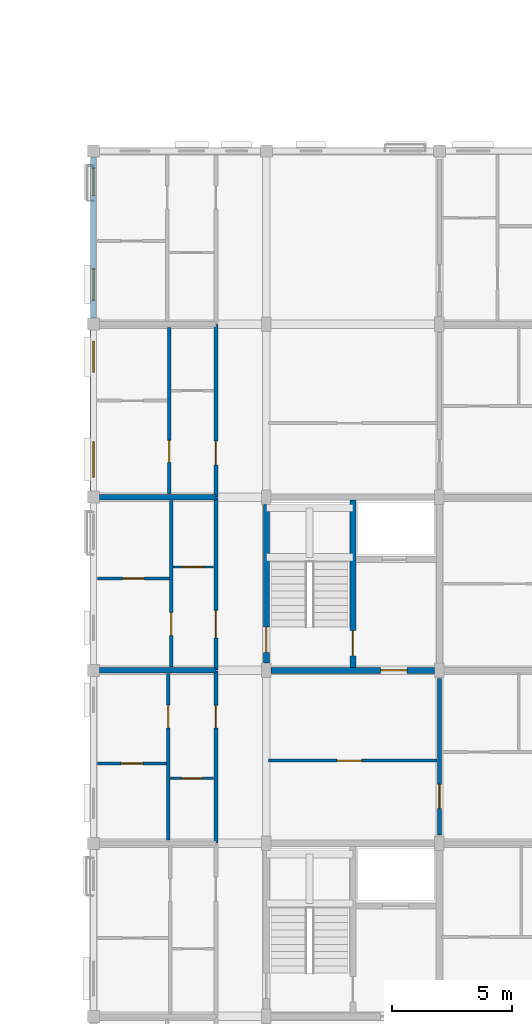
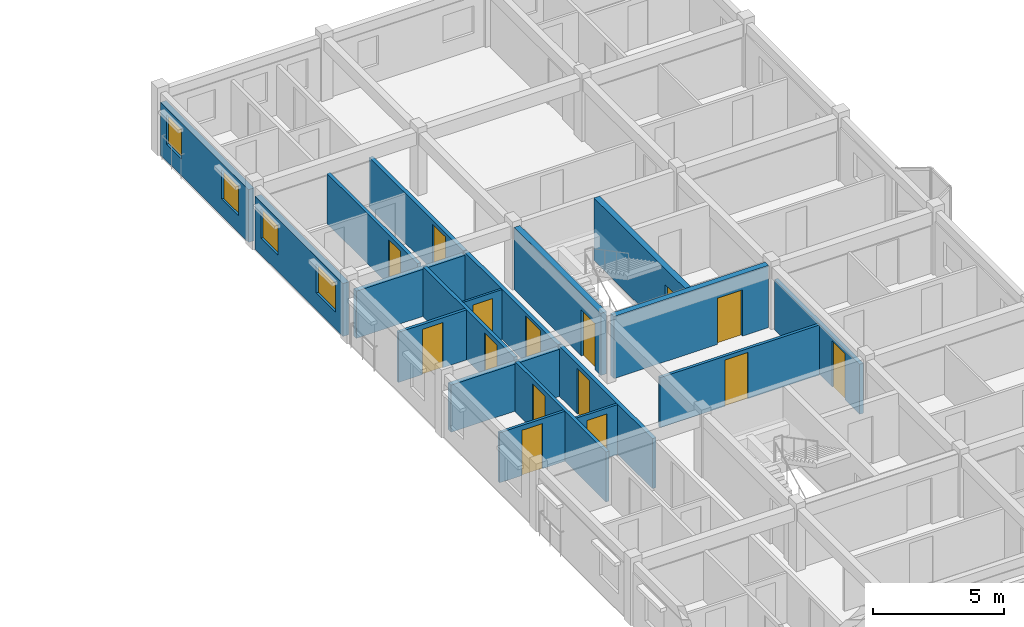
# One storey, part 49 of 64: 19 walls, 15 doors, 4 windows, 19 openings.
"""IFC4 building model written with IfcOpenShell, lengths in metres."""

from ifc_helpers import new_model, si_unit, direction, frame, frame_2d, origin, place, context, subcontext, project, spatial, rectangle, extrude, material, layer, layer_set, type_object, element, fill, save


model = new_model("IFC4")

# Units and contexts
model_context = context("Model", 3, precision=1e-05, world=origin(), true_north=direction((0.0, 1.0)))
body_context = subcontext(model_context, "Body", "Model", "MODEL_VIEW")
ifc_project = project(units=[si_unit("LENGTHUNIT", "METRE"), si_unit("AREAUNIT", "SQUARE_METRE"), si_unit("VOLUMEUNIT", "CUBIC_METRE"), si_unit("PLANEANGLEUNIT", "RADIAN"), si_unit("MASSUNIT", "GRAM", prefix="KILO"), si_unit("THERMODYNAMICTEMPERATUREUNIT", "KELVIN"), si_unit("POWERUNIT", "WATT")], contexts=[model_context])

# Site, building, storey
site_placement = place(None, origin())
site = spatial("IfcSite", under=ifc_project, at=site_placement, CompositionType="ELEMENT")
building_placement = place(site_placement, origin())
building = spatial("IfcBuilding", under=site, at=building_placement, Name="Tavuni Mirador Residences", CompositionType="ELEMENT")
storey_placement = place(building_placement, frame((0.0, 0.0, 26.550048828125)))
storey = spatial("IfcBuildingStorey", under=building, at=storey_placement, Name="L08", CompositionType="ELEMENT", Elevation=26.550048828125)

# Wall, opening, door
ifc_material_1 = material(Name="Precast concrete C40/50", Category="concrete")
ifc_layer_1 = layer(ifc_material_1, 0.25, Name="Precast concrete C40/50", Category="concrete")
ifc_layer_set_1 = layer_set([ifc_layer_1], Name="Precast concrete C40/50")
wall_type_1 = type_object("IfcWallType", Name="WT-COR250", PredefinedType="SHEAR", material=ifc_layer_set_1)
wall_1_placement = place(storey_placement, frame((104.39990234375, 108.300048828125, 0.0), z_axis=(0.0, 0.0, 1.0), x_axis=(0.0, 1.0, 0.0)))
wall_1 = element("IfcWall", 1, at=wall_1_placement, inside=storey, type_object=wall_type_1, Name="CWALL-C8-L08-W", PredefinedType="SHEAR", context=body_context, shape_type="SweptSolid", body=[
    extrude(rectangle(XDim=6.599853515625, YDim=0.25, at=frame_2d((3.2998046875, 0.0))), origin(), (0.0, 0.0, 1.0), 2.889892578125),
])
opening_1_placement = place(wall_1_placement, frame((0.449951171875, 0.0, 0.0)))
opening_1 = element("IfcOpeningElement", 2, at=opening_1_placement, cuts=wall_1, Name="Opening D-01", PredefinedType="OPENING", context=body_context, shape_type="SweptSolid", body=[
    extrude(rectangle(XDim=1.050048828125, YDim=2.14990234375, at=frame_2d((0.52490234375, 1.074951171875))), frame((0.0, 0.135009765625, 0.0), z_axis=(0.0, -1.0, 0.0), x_axis=(1.0, 0.0, 0.0)), (0.0, 0.0, 1.0), 0.27001953125),
])
ifc_material_2 = material(Name="Solid core iroko timber", Category="wood")
door_type_1 = type_object("IfcDoorType", Name="DT-ST1050", OperationType="NOTDEFINED", PredefinedType="DOOR", material=ifc_material_2)
door_1_placement = place(opening_1_placement, origin())
door_1 = element("IfcDoor", 3, at=door_1_placement, inside=storey, type_object=door_type_1, Name="DR-2345", OperationType="SINGLE_SWING_RIGHT", OverallHeight=2.14990234375, OverallWidth=1.050048828125, PredefinedType="DOOR", context=body_context, shape_type="SweptSolid", body=[
    extrude(rectangle(XDim=1.050048828125, YDim=2.14990234375, at=frame_2d((0.52490234375, 1.074951171875))), frame((0.0, 0.02490234375, 0.0), z_axis=(0.0, -1.0, 0.0), x_axis=(1.0, 0.0, 0.0)), (0.0, 0.0, 1.0), 0.050048828125),
])
fill(opening_1, door_1)

wall_2_placement = place(storey_placement, frame((104.60009765625, 108.0, 0.0), z_axis=(0.0, 0.0, 1.0), x_axis=(1.0, 0.0, 0.0)))
wall_2 = element("IfcWall", 4, at=wall_2_placement, inside=storey, type_object=wall_type_1, Name="CWALL-C8-L08-SS", PredefinedType="SHEAR", context=body_context, shape_type="SweptSolid", body=[
    extrude(rectangle(XDim=6.7998046875, YDim=0.25, at=frame_2d((3.39990234375, 0.0))), origin(), (0.0, 0.0, 1.0), 2.889892578125),
])
opening_2_placement = place(wall_2_placement, frame((4.550048828125, 0.0, 0.0)))
opening_2 = element("IfcOpeningElement", 5, at=opening_2_placement, cuts=wall_2, Name="Opening D-02", PredefinedType="OPENING", context=body_context, shape_type="SweptSolid", body=[
    extrude(rectangle(XDim=1.10009765625, YDim=2.14990234375, at=frame_2d((0.550048828125, 1.074951171875))), frame((0.0, 0.135009765625, 0.0), z_axis=(0.0, -1.0, 0.0), x_axis=(1.0, 0.0, 0.0)), (0.0, 0.0, 1.0), 0.27001953125),
])
door_type_2 = type_object("IfcDoorType", Name="DT-LOB1100", OperationType="NOTDEFINED", PredefinedType="DOOR", material=ifc_material_2)
door_2_placement = place(opening_2_placement, frame((1.10009765625, 0.0, 0.0), z_axis=(0.0, 0.0, 1.0), x_axis=(-1.0, 0.0, 0.0)))
door_2 = element("IfcDoor", 6, at=door_2_placement, inside=storey, type_object=door_type_2, Name="DR-2346", OperationType="SINGLE_SWING_RIGHT", OverallHeight=2.14990234375, OverallWidth=1.10009765625, PredefinedType="DOOR", context=body_context, shape_type="SweptSolid", body=[
    extrude(rectangle(XDim=1.10009765625, YDim=2.14990234375, at=frame_2d((0.550048828125, 1.074951171875))), frame((0.0, 0.02490234375, 0.0), z_axis=(0.0, -1.0, 0.0), x_axis=(1.0, 0.0, 0.0)), (0.0, 0.0, 1.0), 0.050048828125),
])
fill(opening_2, door_2)

wall_3_placement = place(storey_placement, frame((108.0, 108.125, 0.0), z_axis=(0.0, 0.0, 1.0), x_axis=(0.0, 1.0, 0.0)))
wall_3 = element("IfcWall", 7, at=wall_3_placement, inside=storey, type_object=wall_type_1, Name="CWALL-C8-L08-MID", PredefinedType="SHEAR", context=body_context, shape_type="SweptSolid", body=[
    extrude(rectangle(XDim=6.949951171875, YDim=0.25, at=frame_2d((3.47509765625, 0.0))), origin(), (0.0, 0.0, 1.0), 2.889892578125),
])
opening_3_placement = place(wall_3_placement, frame((0.47509765625, 0.0, 0.0)))
opening_3 = element("IfcOpeningElement", 8, at=opening_3_placement, cuts=wall_3, Name="Opening D-01", PredefinedType="OPENING", context=body_context, shape_type="SweptSolid", body=[
    extrude(rectangle(XDim=1.050048828125, YDim=2.14990234375, at=frame_2d((0.52490234375, 1.074951171875))), frame((0.0, 0.135009765625, 0.0), z_axis=(0.0, -1.0, 0.0), x_axis=(1.0, 0.0, 0.0)), (0.0, 0.0, 1.0), 0.27001953125),
])
door_3_placement = place(opening_3_placement, origin())
door_3 = element("IfcDoor", 9, at=door_3_placement, inside=storey, type_object=door_type_1, Name="DR-2347", OperationType="SINGLE_SWING_LEFT", OverallHeight=2.14990234375, OverallWidth=1.050048828125, PredefinedType="DOOR", context=body_context, shape_type="SweptSolid", body=[
    extrude(rectangle(XDim=1.050048828125, YDim=2.14990234375, at=frame_2d((0.52490234375, 1.074951171875))), frame((0.0, 0.02490234375, 0.0), z_axis=(0.0, -1.0, 0.0), x_axis=(1.0, 0.0, 0.0)), (0.0, 0.0, 1.0), 0.050048828125),
])
fill(opening_3, door_3)

ifc_layer_2 = layer(ifc_material_1, 0.1650390625, Name="Precast concrete C40/50", Category="concrete")
ifc_layer_set_2 = layer_set([ifc_layer_2], Name="Precast concrete C40/50")
wall_type_2 = type_object("IfcWallType", Name="WT-CORR165", PredefinedType="PARTITIONING", material=ifc_layer_set_2)
wall_4_placement = place(storey_placement, frame((102.300048828125, 100.820068359375, 0.0), z_axis=(0.0, 0.0, 1.0), x_axis=(0.0, 1.0, 0.0)))
wall_4 = element("IfcWall", 10, at=wall_4_placement, inside=storey, type_object=wall_type_2, Name="CORW-BLK-D-L08-0-02", PredefinedType="PARTITIONING", context=body_context, shape_type="SweptSolid", body=[
    extrude(rectangle(XDim=7.159912109375, YDim=0.1650390625, at=frame_2d((3.580078125, 0.0))), origin(), (0.0, 0.0, 1.0), 2.324951171875),
])
opening_4_placement = place(wall_4_placement, frame((4.780029296875, 0.0, 0.0)))
opening_4 = element("IfcOpeningElement", 11, at=opening_4_placement, cuts=wall_4, Name="Opening D-19", PredefinedType="OPENING", context=body_context, shape_type="SweptSolid", body=[
    extrude(rectangle(XDim=0.93994140625, YDim=2.1201171875, at=frame_2d((0.469970703125, 1.06005859375))), frame((0.0, 0.092529296875, 0.0), z_axis=(0.0, -1.0, 0.0), x_axis=(1.0, 0.0, 0.0)), (0.0, 0.0, 1.0), 0.18505859375),
])
door_type_3 = type_object("IfcDoorType", Name="DT-FD60-940", OperationType="NOTDEFINED", PredefinedType="DOOR", material=ifc_material_2)
door_4_placement = place(opening_4_placement, origin())
door_4 = element("IfcDoor", 12, at=door_4_placement, inside=storey, type_object=door_type_3, Name="DR-2905", OperationType="SINGLE_SWING_RIGHT", OverallHeight=2.1201171875, OverallWidth=0.93994140625, PredefinedType="DOOR", context=body_context, shape_type="SweptSolid", body=[
    extrude(rectangle(XDim=0.93994140625, YDim=2.1201171875, at=frame_2d((0.469970703125, 1.06005859375))), frame((0.0, 0.02490234375, 0.0), z_axis=(0.0, -1.0, 0.0), x_axis=(1.0, 0.0, 0.0)), (0.0, 0.0, 1.0), 0.050048828125),
])
fill(opening_4, door_4)

wall_5_placement = place(storey_placement, frame((102.300048828125, 108.02001953125, 0.0), z_axis=(0.0, 0.0, 1.0), x_axis=(0.0, 1.0, 0.0)))
wall_5 = element("IfcWall", 13, at=wall_5_placement, inside=storey, type_object=wall_type_2, Name="CORW-BLK-D-L08-0-03", PredefinedType="PARTITIONING", context=body_context, shape_type="SweptSolid", body=[
    extrude(rectangle(XDim=7.159912109375, YDim=0.1650390625, at=frame_2d((3.580078125, 0.0))), origin(), (0.0, 0.0, 1.0), 2.324951171875),
])
opening_5_placement = place(wall_5_placement, frame((1.330078125, 0.0, 0.0)))
opening_5 = element("IfcOpeningElement", 14, at=opening_5_placement, cuts=wall_5, Name="Opening D-20", PredefinedType="OPENING", context=body_context, shape_type="SweptSolid", body=[
    extrude(rectangle(XDim=1.139892578125, YDim=2.179931640625, at=frame_2d((0.56982421875, 1.08984375))), frame((0.0, 0.092529296875, 0.0), z_axis=(0.0, -1.0, 0.0), x_axis=(1.0, 0.0, 0.0)), (0.0, 0.0, 1.0), 0.18505859375),
])
door_type_4 = type_object("IfcDoorType", Name="DT-FD60-1140", OperationType="NOTDEFINED", PredefinedType="DOOR", material=ifc_material_2)
door_5_placement = place(opening_5_placement, origin())
door_5 = element("IfcDoor", 15, at=door_5_placement, inside=storey, type_object=door_type_4, Name="DR-2906", OperationType="SINGLE_SWING_LEFT", OverallHeight=2.179931640625, OverallWidth=1.139892578125, PredefinedType="DOOR", context=body_context, shape_type="SweptSolid", body=[
    extrude(rectangle(XDim=1.139892578125, YDim=2.179931640625, at=frame_2d((0.56982421875, 1.08984375))), frame((0.0, 0.02490234375, 0.0), z_axis=(0.0, -1.0, 0.0), x_axis=(1.0, 0.0, 0.0)), (0.0, 0.0, 1.0), 0.050048828125),
])
fill(opening_5, door_5)

wall_6_placement = place(storey_placement, frame((102.300048828125, 115.219970703125, 0.0), z_axis=(0.0, 0.0, 1.0), x_axis=(0.0, 1.0, 0.0)))
wall_6 = element("IfcWall", 16, at=wall_6_placement, inside=storey, type_object=wall_type_2, Name="CORW-BLK-D-L08-0-04", PredefinedType="PARTITIONING", context=body_context, shape_type="SweptSolid", body=[
    extrude(rectangle(XDim=7.159912109375, YDim=0.1650390625, at=frame_2d((3.580078125, 0.0))), origin(), (0.0, 0.0, 1.0), 2.324951171875),
])
opening_6_placement = place(wall_6_placement, frame((1.330078125, 0.0, 0.0)))
opening_6 = element("IfcOpeningElement", 17, at=opening_6_placement, cuts=wall_6, Name="Opening D-03", PredefinedType="OPENING", context=body_context, shape_type="SweptSolid", body=[
    extrude(rectangle(XDim=1.0, YDim=2.14990234375, at=frame_2d((0.5, 1.074951171875))), frame((0.0, 0.092529296875, 0.0), z_axis=(0.0, -1.0, 0.0), x_axis=(1.0, 0.0, 0.0)), (0.0, 0.0, 1.0), 0.18505859375),
])
door_type_5 = type_object("IfcDoorType", Name="DT-FD60-1000", OperationType="NOTDEFINED", PredefinedType="DOOR", material=ifc_material_2)
door_6_placement = place(opening_6_placement, origin())
door_6 = element("IfcDoor", 18, at=door_6_placement, inside=storey, type_object=door_type_5, Name="DR-2907", OperationType="SINGLE_SWING_RIGHT", OverallHeight=2.14990234375, OverallWidth=1.0, PredefinedType="DOOR", context=body_context, shape_type="SweptSolid", body=[
    extrude(rectangle(XDim=1.0, YDim=2.14990234375, at=frame_2d((0.5, 1.074951171875))), frame((0.0, 0.02490234375, 0.0), z_axis=(0.0, -1.0, 0.0), x_axis=(1.0, 0.0, 0.0)), (0.0, 0.0, 1.0), 0.050048828125),
])
fill(opening_6, door_6)

wall_7_placement = place(storey_placement, frame((111.60009765625, 101.14990234375, 0.0), z_axis=(0.0, 0.0, 1.0), x_axis=(0.0, 1.0, 0.0)))
wall_7 = element("IfcWall", 19, at=wall_7_placement, inside=storey, type_object=wall_type_2, Name="CORW-BLK-D-L08-1-02", PredefinedType="PARTITIONING", context=body_context, shape_type="SweptSolid", body=[
    extrude(rectangle(XDim=6.5, YDim=0.1650390625, at=frame_2d((3.25, 0.0))), origin(), (0.0, 0.0, 1.0), 2.324951171875),
])
opening_7_placement = place(wall_7_placement, frame((1.10009765625, 0.0, 0.0)))
opening_7 = element("IfcOpeningElement", 20, at=opening_7_placement, cuts=wall_7, Name="Opening D-03", PredefinedType="OPENING", context=body_context, shape_type="SweptSolid", body=[
    extrude(rectangle(XDim=1.0, YDim=2.14990234375, at=frame_2d((0.5, 1.074951171875))), frame((0.0, 0.092529296875, 0.0), z_axis=(0.0, -1.0, 0.0), x_axis=(1.0, 0.0, 0.0)), (0.0, 0.0, 1.0), 0.18505859375),
])
door_7_placement = place(opening_7_placement, origin())
door_7 = element("IfcDoor", 21, at=door_7_placement, inside=storey, type_object=door_type_5, Name="DR-2910", OperationType="SINGLE_SWING_LEFT", OverallHeight=2.14990234375, OverallWidth=1.0, PredefinedType="DOOR", context=body_context, shape_type="SweptSolid", body=[
    extrude(rectangle(XDim=1.0, YDim=2.14990234375, at=frame_2d((0.5, 1.074951171875))), frame((0.0, 0.02490234375, 0.0), z_axis=(0.0, -1.0, 0.0), x_axis=(1.0, 0.0, 0.0)), (0.0, 0.0, 1.0), 0.050048828125),
])
fill(opening_7, door_7)

# Wall, openings, windows
ifc_material_3 = material(Name="Sgraffito lime-rendered precast concrete C40/50", Category="concrete")
ifc_layer_3 = layer(ifc_material_3, 0.2451171875, Name="Sgraffito lime-rendered precast concrete C40/50", Category="concrete")
ifc_layer_set_3 = layer_set([ifc_layer_3], Name="Sgraffito lime-rendered precast concrete C40/50")
wall_type_3 = type_object("IfcWallType", Name="WT-EXT-PC245", PredefinedType="SOLIDWALL", material=ifc_layer_set_3)
wall_8_placement = place(storey_placement, frame((97.199951171875, 129.35009765625, 0.0), z_axis=(0.0, 0.0, 1.0), x_axis=(0.0, -1.0, 0.0)))
wall_8 = element("IfcWall", 22, at=wall_8_placement, inside=storey, type_object=wall_type_3, Name="EW-BLK-D-L08-W05", PredefinedType="SOLIDWALL", context=body_context, shape_type="SweptSolid", body=[
    extrude(rectangle(XDim=6.7001953125, YDim=0.2451171875, at=frame_2d((3.35009765625, 0.0))), origin(), (0.0, 0.0, 1.0), 2.4599609375),
])
opening_8_placement = place(wall_8_placement, frame((0.449951171875, 0.0, 0.780029296875)))
opening_8 = element("IfcOpeningElement", 23, at=opening_8_placement, cuts=wall_8, Name="Opening WN-20", PredefinedType="OPENING", context=body_context, shape_type="SweptSolid", body=[
    extrude(rectangle(XDim=1.139892578125, YDim=1.360107421875, at=frame_2d((0.56982421875, 0.68017578125))), frame((0.0, 0.132568359375, 0.0), z_axis=(0.0, -1.0, 0.0), x_axis=(1.0, 0.0, 0.0)), (0.0, 0.0, 1.0), 0.26513671875),
])
opening_9_placement = place(wall_8_placement, frame((4.64990234375, 0.0, 0.780029296875)))
opening_9 = element("IfcOpeningElement", 24, at=opening_9_placement, cuts=wall_8, Name="Opening WN-22", PredefinedType="OPENING", context=body_context, shape_type="SweptSolid", body=[
    extrude(rectangle(XDim=1.300048828125, YDim=1.360107421875, at=frame_2d((0.64990234375, 0.68017578125))), frame((0.0, 0.132568359375, 0.0), z_axis=(0.0, -1.0, 0.0), x_axis=(1.0, 0.0, 0.0)), (0.0, 0.0, 1.0), 0.26513671875),
])
ifc_material_4 = material(Name="Laminated solar-control glass", Category="glass")
window_type_1 = type_object("IfcWindowType", Name="WNT-20", PartitioningType="SINGLE_PANEL", PredefinedType="WINDOW", material=ifc_material_4)
window_1_placement = place(opening_8_placement, origin())
window_1 = element("IfcWindow", 25, at=window_1_placement, inside=storey, type_object=window_type_1, Name="WIN-1751", OverallHeight=1.360107421875, OverallWidth=1.139892578125, PartitioningType="SINGLE_PANEL", PredefinedType="WINDOW", context=body_context, shape_type="SweptSolid", body=[
    extrude(rectangle(XDim=1.139892578125, YDim=1.360107421875, at=frame_2d((0.56982421875, 0.68017578125))), frame((0.0, 0.030029296875, 0.0), z_axis=(0.0, -1.0, 0.0), x_axis=(1.0, 0.0, 0.0)), (0.0, 0.0, 1.0), 0.06005859375),
])
fill(opening_8, window_1)
window_type_2 = type_object("IfcWindowType", Name="WNT-22", PartitioningType="SINGLE_PANEL", PredefinedType="WINDOW", material=ifc_material_4)
window_2_placement = place(opening_9_placement, origin())
window_2 = element("IfcWindow", 26, at=window_2_placement, inside=storey, type_object=window_type_2, Name="WIN-1752", OverallHeight=1.360107421875, OverallWidth=1.300048828125, PartitioningType="SINGLE_PANEL", PredefinedType="WINDOW", context=body_context, shape_type="SweptSolid", body=[
    extrude(rectangle(XDim=1.300048828125, YDim=1.360107421875, at=frame_2d((0.64990234375, 0.68017578125))), frame((0.0, 0.030029296875, 0.0), z_axis=(0.0, -1.0, 0.0), x_axis=(1.0, 0.0, 0.0)), (0.0, 0.0, 1.0), 0.06005859375),
])
fill(opening_9, window_2)

ifc_layer_4 = layer(ifc_material_3, 0.2548828125, Name="Sgraffito lime-rendered precast concrete C40/50", Category="concrete")
ifc_layer_set_4 = layer_set([ifc_layer_4], Name="Sgraffito lime-rendered precast concrete C40/50")
wall_type_4 = type_object("IfcWallType", Name="WT-EXT-PC255", PredefinedType="SOLIDWALL", material=ifc_layer_set_4)
wall_9_placement = place(storey_placement, frame((97.199951171875, 122.14990234375, 0.0), z_axis=(0.0, 0.0, 1.0), x_axis=(0.0, -1.0, 0.0)))
wall_9 = element("IfcWall", 27, at=wall_9_placement, inside=storey, type_object=wall_type_4, Name="EW-BLK-D-L08-W04", PredefinedType="SOLIDWALL", context=body_context, shape_type="SweptSolid", body=[
    extrude(rectangle(XDim=6.699951171875, YDim=0.2548828125, at=frame_2d((3.35009765625, 0.0))), origin(), (0.0, 0.0, 1.0), 2.4599609375),
])
opening_10_placement = place(wall_9_placement, frame((0.449951171875, 0.0, 0.780029296875)))
opening_10 = element("IfcOpeningElement", 28, at=opening_10_placement, cuts=wall_9, Name="Opening WN-22", PredefinedType="OPENING", context=body_context, shape_type="SweptSolid", body=[
    extrude(rectangle(XDim=1.300048828125, YDim=1.360107421875, at=frame_2d((0.64990234375, 0.68017578125))), frame((0.0, 0.137451171875, 0.0), z_axis=(0.0, -1.0, 0.0), x_axis=(1.0, 0.0, 0.0)), (0.0, 0.0, 1.0), 0.27490234375),
])
opening_11_placement = place(wall_9_placement, frame((4.64990234375, 0.0, 0.780029296875)))
opening_11 = element("IfcOpeningElement", 29, at=opening_11_placement, cuts=wall_9, Name="Opening WN-24", PredefinedType="OPENING", context=body_context, shape_type="SweptSolid", body=[
    extrude(rectangle(XDim=1.4599609375, YDim=1.360107421875, at=frame_2d((0.72998046875, 0.68017578125))), frame((0.0, 0.137451171875, 0.0), z_axis=(0.0, -1.0, 0.0), x_axis=(1.0, 0.0, 0.0)), (0.0, 0.0, 1.0), 0.27490234375),
])
window_3_placement = place(opening_10_placement, origin())
window_3 = element("IfcWindow", 30, at=window_3_placement, inside=storey, type_object=window_type_2, Name="WIN-1753", OverallHeight=1.360107421875, OverallWidth=1.300048828125, PartitioningType="SINGLE_PANEL", PredefinedType="WINDOW", context=body_context, shape_type="SweptSolid", body=[
    extrude(rectangle(XDim=1.300048828125, YDim=1.360107421875, at=frame_2d((0.64990234375, 0.68017578125))), frame((0.0, 0.030029296875, 0.0), z_axis=(0.0, -1.0, 0.0), x_axis=(1.0, 0.0, 0.0)), (0.0, 0.0, 1.0), 0.06005859375),
])
fill(opening_10, window_3)
window_type_3 = type_object("IfcWindowType", Name="WNT-24", PartitioningType="SINGLE_PANEL", PredefinedType="WINDOW", material=ifc_material_4)
window_4_placement = place(opening_11_placement, origin())
window_4 = element("IfcWindow", 31, at=window_4_placement, inside=storey, type_object=window_type_3, Name="WIN-1754", OverallHeight=1.360107421875, OverallWidth=1.4599609375, PartitioningType="SINGLE_PANEL", PredefinedType="WINDOW", context=body_context, shape_type="SweptSolid", body=[
    extrude(rectangle(XDim=1.4599609375, YDim=1.360107421875, at=frame_2d((0.72998046875, 0.68017578125))), frame((0.0, 0.030029296875, 0.0), z_axis=(0.0, -1.0, 0.0), x_axis=(1.0, 0.0, 0.0)), (0.0, 0.0, 1.0), 0.06005859375),
])
fill(opening_11, window_4)

# Wall, opening, door
ifc_material_5 = material(Name="Acoustic gypsum and concrete block partition", Category="concrete")
ifc_layer_5 = layer(ifc_material_5, 0.094970703125, Name="Acoustic gypsum and concrete block partition", Category="concrete")
ifc_layer_set_5 = layer_set([ifc_layer_5], Name="Acoustic gypsum and concrete block partition")
wall_type_5 = type_object("IfcWallType", Name="WT-PART095", PredefinedType="PARTITIONING", material=ifc_layer_set_5)
wall_10_placement = place(storey_placement, frame((100.510009765625, 112.300048828125, 0.0), z_axis=(0.0, 0.0, 1.0), x_axis=(1.0, 0.0, 0.0)))
wall_10 = element("IfcWall", 32, at=wall_10_placement, inside=storey, type_object=wall_type_5, Name="PW-BLK-D-L08-W03-IN1", PredefinedType="PARTITIONING", context=body_context, shape_type="SweptSolid", body=[
    extrude(rectangle(XDim=1.699951171875, YDim=0.094970703125, at=frame_2d((0.85009765625, 0.0))), origin(), (0.0, 0.0, 1.0), 2.324951171875),
])
opening_12_placement = place(wall_10_placement, frame((0.4150390625, 0.0, 0.0)))
opening_12 = element("IfcOpeningElement", 33, at=opening_12_placement, cuts=wall_10, Name="Opening D-10", PredefinedType="OPENING", context=body_context, shape_type="SweptSolid", body=[
    extrude(rectangle(XDim=0.8701171875, YDim=2.050048828125, at=frame_2d((0.43505859375, 1.02490234375))), frame((0.0, 0.0576171875, 0.0), z_axis=(0.0, -1.0, 0.0), x_axis=(1.0, 0.0, 0.0)), (0.0, 0.0, 1.0), 0.114990234375),
])
door_type_6 = type_object("IfcDoorType", Name="DT-WC870", OperationType="NOTDEFINED", PredefinedType="DOOR", material=ifc_material_2)
door_8_placement = place(opening_12_placement, origin())
door_8 = element("IfcDoor", 34, at=door_8_placement, inside=storey, type_object=door_type_6, Name="DR-4599", OperationType="SINGLE_SWING_RIGHT", OverallHeight=2.050048828125, OverallWidth=0.8701171875, PredefinedType="DOOR", context=body_context, shape_type="SweptSolid", body=[
    extrude(rectangle(XDim=0.8701171875, YDim=2.050048828125, at=frame_2d((0.43505859375, 1.02490234375))), frame((0.0, 0.02490234375, 0.0), z_axis=(0.0, -1.0, 0.0), x_axis=(1.0, 0.0, 0.0)), (0.0, 0.0, 1.0), 0.050048828125),
])
fill(opening_12, door_8)

ifc_layer_6 = layer(ifc_material_5, 0.10498046875, Name="Acoustic gypsum and concrete block partition", Category="concrete")
ifc_layer_set_6 = layer_set([ifc_layer_6], Name="Acoustic gypsum and concrete block partition")
wall_type_6 = type_object("IfcWallType", Name="WT-PART105", PredefinedType="PARTITIONING", material=ifc_layer_set_6)
wall_11_placement = place(storey_placement, frame((100.389892578125, 103.5, 0.0), z_axis=(0.0, 0.0, 1.0), x_axis=(1.0, 0.0, 0.0)))
wall_11 = element("IfcWall", 35, at=wall_11_placement, inside=storey, type_object=wall_type_6, Name="PW-BLK-D-L08-W02-IN1", PredefinedType="PARTITIONING", context=body_context, shape_type="SweptSolid", body=[
    extrude(rectangle(XDim=1.820068359375, YDim=0.10498046875, at=frame_2d((0.91015625, 0.0))), origin(), (0.0, 0.0, 1.0), 2.324951171875),
])
opening_13_placement = place(wall_11_placement, frame((0.47509765625, 0.0, 0.0)))
opening_13 = element("IfcOpeningElement", 36, at=opening_13_placement, cuts=wall_11, Name="Opening D-10", PredefinedType="OPENING", context=body_context, shape_type="SweptSolid", body=[
    extrude(rectangle(XDim=0.8701171875, YDim=2.050048828125, at=frame_2d((0.43505859375, 1.02490234375))), frame((0.0, 0.0625, 0.0), z_axis=(0.0, -1.0, 0.0), x_axis=(1.0, 0.0, 0.0)), (0.0, 0.0, 1.0), 0.125),
])
door_9_placement = place(opening_13_placement, origin())
door_9 = element("IfcDoor", 37, at=door_9_placement, inside=storey, type_object=door_type_6, Name="DR-4594", OperationType="SINGLE_SWING_RIGHT", OverallHeight=2.050048828125, OverallWidth=0.8701171875, PredefinedType="DOOR", context=body_context, shape_type="SweptSolid", body=[
    extrude(rectangle(XDim=0.8701171875, YDim=2.050048828125, at=frame_2d((0.43505859375, 1.02490234375))), frame((0.0, 0.02490234375, 0.0), z_axis=(0.0, -1.0, 0.0), x_axis=(1.0, 0.0, 0.0)), (0.0, 0.0, 1.0), 0.050048828125),
])
fill(opening_13, door_9)

ifc_layer_7 = layer(ifc_material_5, 0.114990234375, Name="Acoustic gypsum and concrete block partition", Category="concrete")
ifc_layer_set_7 = layer_set([ifc_layer_7], Name="Acoustic gypsum and concrete block partition")
wall_type_7 = type_object("IfcWallType", Name="WT-PART115", PredefinedType="PARTITIONING", material=ifc_layer_set_7)
wall_12_placement = place(storey_placement, frame((97.375, 104.1201171875, 0.0), z_axis=(0.0, 0.0, 1.0), x_axis=(1.0, 0.0, 0.0)))
wall_12 = element("IfcWall", 38, at=wall_12_placement, inside=storey, type_object=wall_type_7, Name="PW-BLK-D-L08-W02-OUT", PredefinedType="PARTITIONING", context=body_context, shape_type="SweptSolid", body=[
    extrude(rectangle(XDim=2.875, YDim=0.114990234375, at=frame_2d((1.4375, 0.0))), origin(), (0.0, 0.0, 1.0), 2.324951171875),
])
opening_14_placement = place(wall_12_placement, frame((0.987548828125, 0.0, 0.0)))
opening_14 = element("IfcOpeningElement", 39, at=opening_14_placement, cuts=wall_12, Name="Opening D-07", PredefinedType="OPENING", context=body_context, shape_type="SweptSolid", body=[
    extrude(rectangle(XDim=0.89990234375, YDim=2.10009765625, at=frame_2d((0.449951171875, 1.050048828125))), frame((0.0, 0.0673828125, 0.0), z_axis=(0.0, -1.0, 0.0), x_axis=(1.0, 0.0, 0.0)), (0.0, 0.0, 1.0), 0.135009765625),
])
door_type_7 = type_object("IfcDoorType", Name="DT-BED900", OperationType="NOTDEFINED", PredefinedType="DOOR", material=ifc_material_2)
door_10_placement = place(opening_14_placement, origin())
door_10 = element("IfcDoor", 40, at=door_10_placement, inside=storey, type_object=door_type_7, Name="DR-4593", OperationType="SINGLE_SWING_LEFT", OverallHeight=2.10009765625, OverallWidth=0.89990234375, PredefinedType="DOOR", context=body_context, shape_type="SweptSolid", body=[
    extrude(rectangle(XDim=0.89990234375, YDim=2.10009765625, at=frame_2d((0.449951171875, 1.050048828125))), frame((0.0, 0.02490234375, 0.0), z_axis=(0.0, -1.0, 0.0), x_axis=(1.0, 0.0, 0.0)), (0.0, 0.0, 1.0), 0.050048828125),
])
fill(opening_14, door_10)

ifc_layer_8 = layer(ifc_material_5, 0.125, Name="Acoustic gypsum and concrete block partition", Category="concrete")
ifc_layer_set_8 = layer_set([ifc_layer_8], Name="Acoustic gypsum and concrete block partition")
wall_type_8 = type_object("IfcWallType", Name="WT-PART125", PredefinedType="PARTITIONING", material=ifc_layer_set_8)
wall_13_placement = place(storey_placement, frame((104.489990234375, 104.239990234375, 0.0), z_axis=(0.0, 0.0, 1.0), x_axis=(1.0, 0.0, 0.0)))
wall_13 = element("IfcWall", 41, at=wall_13_placement, inside=storey, type_object=wall_type_8, Name="PW-SPN-BLK-D-L08-02", PredefinedType="PARTITIONING", context=body_context, shape_type="SweptSolid", body=[
    extrude(rectangle(XDim=7.02001953125, YDim=0.125, at=frame_2d((3.510009765625, 0.0))), origin(), (0.0, 0.0, 1.0), 2.324951171875),
])
opening_15_placement = place(wall_13_placement, frame((2.85009765625, 0.0, 0.0)))
opening_15 = element("IfcOpeningElement", 42, at=opening_15_placement, cuts=wall_13, Name="Opening D-13", PredefinedType="OPENING", context=body_context, shape_type="SweptSolid", body=[
    extrude(rectangle(XDim=1.02001953125, YDim=2.14990234375, at=frame_2d((0.510009765625, 1.074951171875))), frame((0.0, 0.072509765625, 0.0), z_axis=(0.0, -1.0, 0.0), x_axis=(1.0, 0.0, 0.0)), (0.0, 0.0, 1.0), 0.14501953125),
])
door_type_8 = type_object("IfcDoorType", Name="DT-MTG1020", OperationType="NOTDEFINED", PredefinedType="DOOR", material=ifc_material_2)
door_11_placement = place(opening_15_placement, origin())
door_11 = element("IfcDoor", 43, at=door_11_placement, inside=storey, type_object=door_type_8, Name="DR-4592", OperationType="SINGLE_SWING_LEFT", OverallHeight=2.14990234375, OverallWidth=1.02001953125, PredefinedType="DOOR", context=body_context, shape_type="SweptSolid", body=[
    extrude(rectangle(XDim=1.02001953125, YDim=2.14990234375, at=frame_2d((0.510009765625, 1.074951171875))), frame((0.0, 0.02490234375, 0.0), z_axis=(0.0, -1.0, 0.0), x_axis=(1.0, 0.0, 0.0)), (0.0, 0.0, 1.0), 0.050048828125),
])
fill(opening_15, door_11)

wall_14_placement = place(storey_placement, frame((97.375, 111.820068359375, 0.0), z_axis=(0.0, 0.0, 1.0), x_axis=(1.0, 0.0, 0.0)))
wall_14 = element("IfcWall", 44, at=wall_14_placement, inside=storey, type_object=wall_type_8, Name="PW-BLK-D-L08-W03-OUT", PredefinedType="PARTITIONING", context=body_context, shape_type="SweptSolid", body=[
    extrude(rectangle(XDim=2.9951171875, YDim=0.125, at=frame_2d((1.49755859375, 0.0))), origin(), (0.0, 0.0, 1.0), 2.324951171875),
])
opening_16_placement = place(wall_14_placement, frame((1.047607421875, 0.0, 0.0)))
opening_16 = element("IfcOpeningElement", 45, at=opening_16_placement, cuts=wall_14, Name="Opening D-07", PredefinedType="OPENING", context=body_context, shape_type="SweptSolid", body=[
    extrude(rectangle(XDim=0.89990234375, YDim=2.10009765625, at=frame_2d((0.449951171875, 1.050048828125))), frame((0.0, 0.072509765625, 0.0), z_axis=(0.0, -1.0, 0.0), x_axis=(1.0, 0.0, 0.0)), (0.0, 0.0, 1.0), 0.14501953125),
])
door_12_placement = place(opening_16_placement, origin())
door_12 = element("IfcDoor", 46, at=door_12_placement, inside=storey, type_object=door_type_7, Name="DR-4598", OperationType="SINGLE_SWING_LEFT", OverallHeight=2.10009765625, OverallWidth=0.89990234375, PredefinedType="DOOR", context=body_context, shape_type="SweptSolid", body=[
    extrude(rectangle(XDim=0.89990234375, YDim=2.10009765625, at=frame_2d((0.449951171875, 1.050048828125))), frame((0.0, 0.02490234375, 0.0), z_axis=(0.0, -1.0, 0.0), x_axis=(1.0, 0.0, 0.0)), (0.0, 0.0, 1.0), 0.050048828125),
])
fill(opening_16, door_12)

ifc_layer_9 = layer(ifc_material_5, 0.139892578125, Name="Acoustic gypsum and concrete block partition", Category="concrete")
ifc_layer_set_9 = layer_set([ifc_layer_9], Name="Acoustic gypsum and concrete block partition")
wall_type_9 = type_object("IfcWallType", Name="WT-PART140", PredefinedType="PARTITIONING", material=ifc_layer_set_9)
wall_15_placement = place(storey_placement, frame((100.320068359375, 100.93994140625, 0.0), z_axis=(0.0, 0.0, 1.0), x_axis=(0.0, 1.0, 0.0)))
wall_15 = element("IfcWall", 47, at=wall_15_placement, inside=storey, type_object=wall_type_9, Name="PW-BLK-D-L08-W02-MID", PredefinedType="PARTITIONING", context=body_context, shape_type="SweptSolid", body=[
    extrude(rectangle(XDim=6.920166015625, YDim=0.139892578125, at=frame_2d((3.4599609375, 0.0))), origin(), (0.0, 0.0, 1.0), 2.324951171875),
])
opening_17_placement = place(wall_15_placement, frame((4.659912109375, 0.0, 0.0)))
opening_17 = element("IfcOpeningElement", 48, at=opening_17_placement, cuts=wall_15, Name="Opening D-05", PredefinedType="OPENING", context=body_context, shape_type="SweptSolid", body=[
    extrude(rectangle(XDim=0.949951171875, YDim=2.10009765625, at=frame_2d((0.47509765625, 1.050048828125))), frame((0.0, 0.080078125, 0.0), z_axis=(0.0, -1.0, 0.0), x_axis=(1.0, 0.0, 0.0)), (0.0, 0.0, 1.0), 0.159912109375),
])
door_type_9 = type_object("IfcDoorType", Name="DT-INT950", OperationType="NOTDEFINED", PredefinedType="DOOR", material=ifc_material_2)
door_13_placement = place(opening_17_placement, origin())
door_13 = element("IfcDoor", 49, at=door_13_placement, inside=storey, type_object=door_type_9, Name="DR-4595", OperationType="SINGLE_SWING_LEFT", OverallHeight=2.10009765625, OverallWidth=0.949951171875, PredefinedType="DOOR", context=body_context, shape_type="SweptSolid", body=[
    extrude(rectangle(XDim=0.949951171875, YDim=2.10009765625, at=frame_2d((0.47509765625, 1.050048828125))), frame((0.0, 0.02490234375, 0.0), z_axis=(0.0, -1.0, 0.0), x_axis=(1.0, 0.0, 0.0)), (0.0, 0.0, 1.0), 0.050048828125),
])
fill(opening_17, door_13)

wall_16_placement = place(storey_placement, frame((100.360107421875, 115.340087890625, 0.0), z_axis=(0.0, 0.0, 1.0), x_axis=(0.0, 1.0, 0.0)))
wall_16 = element("IfcWall", 50, at=wall_16_placement, inside=storey, type_object=wall_type_9, Name="PW-BLK-D-L08-W04-MID", PredefinedType="PARTITIONING", context=body_context, shape_type="SweptSolid", body=[
    extrude(rectangle(XDim=6.919921875, YDim=0.139892578125, at=frame_2d((3.4599609375, 0.0))), origin(), (0.0, 0.0, 1.0), 2.324951171875),
])
opening_18_placement = place(wall_16_placement, frame((1.31005859375, 0.0, 0.0)))
opening_18 = element("IfcOpeningElement", 51, at=opening_18_placement, cuts=wall_16, Name="Opening D-06", PredefinedType="OPENING", context=body_context, shape_type="SweptSolid", body=[
    extrude(rectangle(XDim=0.919921875, YDim=2.10009765625, at=frame_2d((0.4599609375, 1.050048828125))), frame((0.0, 0.080078125, 0.0), z_axis=(0.0, -1.0, 0.0), x_axis=(1.0, 0.0, 0.0)), (0.0, 0.0, 1.0), 0.159912109375),
])
door_type_10 = type_object("IfcDoorType", Name="DT-INT920", OperationType="NOTDEFINED", PredefinedType="DOOR", material=ifc_material_2)
door_14_placement = place(opening_18_placement, origin())
door_14 = element("IfcDoor", 52, at=door_14_placement, inside=storey, type_object=door_type_10, Name="DR-4605", OperationType="SINGLE_SWING_RIGHT", OverallHeight=2.10009765625, OverallWidth=0.919921875, PredefinedType="DOOR", context=body_context, shape_type="SweptSolid", body=[
    extrude(rectangle(XDim=0.919921875, YDim=2.10009765625, at=frame_2d((0.4599609375, 1.050048828125))), frame((0.0, 0.02490234375, 0.0), z_axis=(0.0, -1.0, 0.0), x_axis=(1.0, 0.0, 0.0)), (0.0, 0.0, 1.0), 0.050048828125),
])
fill(opening_18, door_14)

ifc_layer_10 = layer(ifc_material_5, 0.14990234375, Name="Acoustic gypsum and concrete block partition", Category="concrete")
ifc_layer_set_10 = layer_set([ifc_layer_10], Name="Acoustic gypsum and concrete block partition")
wall_type_10 = type_object("IfcWallType", Name="WT-PART150", PredefinedType="PARTITIONING", material=ifc_layer_set_10)
wall_17_placement = place(storey_placement, frame((100.43994140625, 108.139892578125, 0.0), z_axis=(0.0, 0.0, 1.0), x_axis=(0.0, 1.0, 0.0)))
wall_17 = element("IfcWall", 53, at=wall_17_placement, inside=storey, type_object=wall_type_10, Name="PW-BLK-D-L08-W03-MID", PredefinedType="PARTITIONING", context=body_context, shape_type="SweptSolid", body=[
    extrude(rectangle(XDim=6.920166015625, YDim=0.14990234375, at=frame_2d((3.4599609375, 0.0))), origin(), (0.0, 0.0, 1.0), 2.324951171875),
])
opening_19_placement = place(wall_17_placement, frame((1.31005859375, 0.0, 0.0)))
opening_19 = element("IfcOpeningElement", 54, at=opening_19_placement, cuts=wall_17, Name="Opening D-05", PredefinedType="OPENING", context=body_context, shape_type="SweptSolid", body=[
    extrude(rectangle(XDim=0.949951171875, YDim=2.10009765625, at=frame_2d((0.47509765625, 1.050048828125))), frame((0.0, 0.0849609375, 0.0), z_axis=(0.0, -1.0, 0.0), x_axis=(1.0, 0.0, 0.0)), (0.0, 0.0, 1.0), 0.169921875),
])
door_15_placement = place(opening_19_placement, origin())
door_15 = element("IfcDoor", 55, at=door_15_placement, inside=storey, type_object=door_type_9, Name="DR-4600", OperationType="SINGLE_SWING_LEFT", OverallHeight=2.10009765625, OverallWidth=0.949951171875, PredefinedType="DOOR", context=body_context, shape_type="SweptSolid", body=[
    extrude(rectangle(XDim=0.949951171875, YDim=2.10009765625, at=frame_2d((0.47509765625, 1.050048828125))), frame((0.0, 0.02490234375, 0.0), z_axis=(0.0, -1.0, 0.0), x_axis=(1.0, 0.0, 0.0)), (0.0, 0.0, 1.0), 0.050048828125),
])
fill(opening_19, door_15)

# Walls
ifc_layer_11 = layer(ifc_material_1, 0.215087890625, Name="Precast concrete C40/50", Category="concrete")
ifc_layer_set_11 = layer_set([ifc_layer_11], Name="Precast concrete C40/50")
wall_type_11 = type_object("IfcWallType", Name="WT-XW215", PredefinedType="SOLIDWALL", material=ifc_layer_set_11)
for number, where, z_axis, x_axis, name in (
    (56, (97.449951171875, 108.0, 0.0), (0.0, 0.0, 1.0), (1.0, 0.0, 0.0), "XW-BLK-D-L08-W-03"),
    (57, (97.449951171875, 115.199951171875, 0.0), (0.0, 0.0, 1.0), (1.0, 0.0, 0.0), "XW-BLK-D-L08-W-04"),
):
    element("IfcWall", number, at=place(storey_placement, frame(where, z_axis=z_axis, x_axis=x_axis)), inside=storey, type_object=wall_type_11, Name=name, PredefinedType="SOLIDWALL", context=body_context, shape_type="SweptSolid", body=[
        extrude(rectangle(XDim=4.85009765625, YDim=0.215087890625, at=frame_2d((2.425048828125, 0.0))), origin(), (0.0, 0.0, 1.0), 2.18994140625),
    ])

save(model, "model.ifc")
